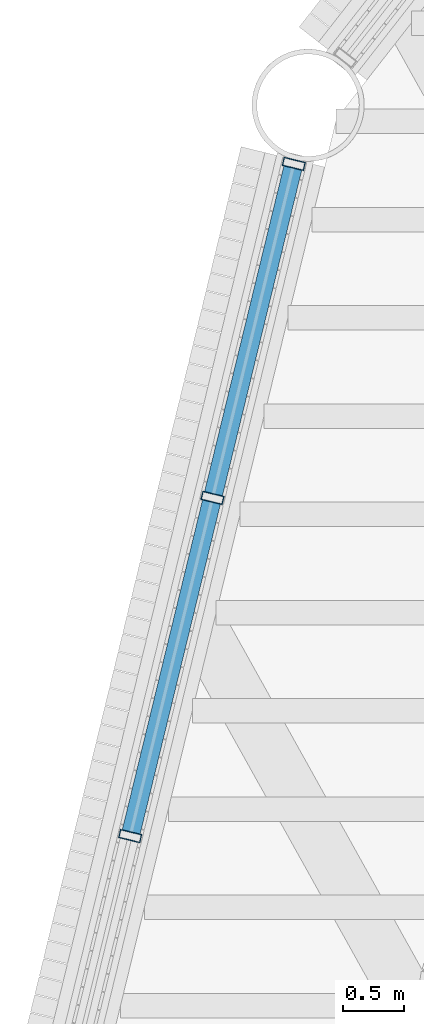
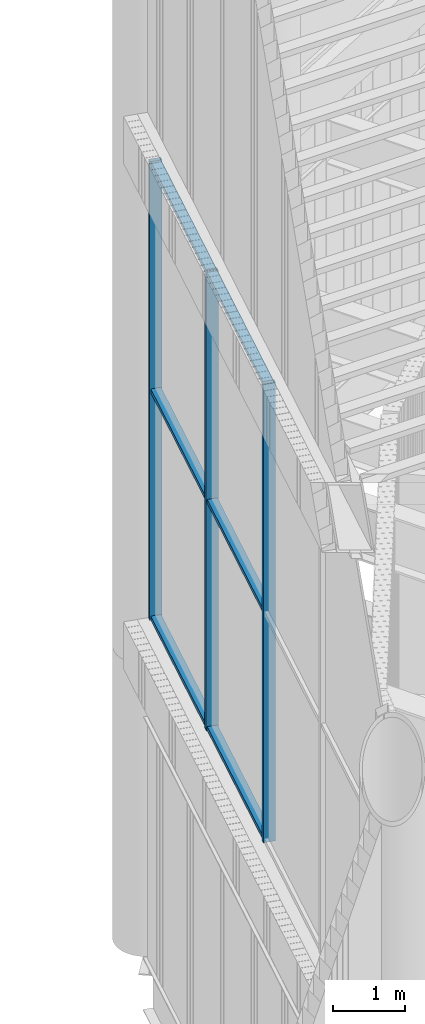
# One storey, part 41 of 117: 9 members, 1 element without a shape of its own.
"""IFC4 building model written with IfcOpenShell, lengths in metres."""

import ifcopenshell
import ifcopenshell.guid

model = None  # the IFC model being written
_history = None  # IfcOwnerHistory: only IFC2X3 demands one
_inside = {}  # id of a spatial element -> (the spatial element, [elements in it])
_under = {}  # id of a project, library or spatial element -> (it, [spatial elements below it])
_declared = {}  # id of a project -> (the project, [libraries it declares])
_typed = {}  # id of a type object -> (the type object, [elements of that type])
_made_of = {}  # id of a material, layer set ... -> (it, [elements and type objects made of it])


def new_model(schema):
    """Start an empty IFC model of exactly this schema.

    Asked for "IFC4X3", IfcOpenShell would pick the latest addendum, in which some entities
    have other attributes; the version numbers below select the first issue.
    IFC2X3 requires an IfcOwnerHistory on every rooted entity: one is made here for all.
    """
    global model, _history
    if schema == "IFC4X3":
        model = ifcopenshell.file(schema_version=(4, 3, 0, 0))
    else:
        model = ifcopenshell.file(schema=schema)
    _inside.clear()
    _under.clear()
    _declared.clear()
    _typed.clear()
    _made_of.clear()
    _history = None
    if model.schema == "IFC2X3":
        org = make("IfcOrganization", Name="unknown")
        user = make(
            "IfcPersonAndOrganization",
            ThePerson=make("IfcPerson", FamilyName="unknown"),
            TheOrganization=org,
        )
        app = make(
            "IfcApplication",
            ApplicationDeveloper=org,
            Version="unknown",
            ApplicationFullName="unknown",
            ApplicationIdentifier="unknown",
        )
        _history = make(
            "IfcOwnerHistory",
            OwningUser=user,
            OwningApplication=app,
            ChangeAction="ADDED",
            CreationDate=0,
        )
    return model


def make(cls, **values):
    """One entity of the class cls with the attributes given. An attribute that is None is left unset."""
    return model.create_entity(
        cls, **{name: value for name, value in values.items() if value is not None}
    )


def rooted(cls, **values):
    """An entity with a GlobalId (a new one), such as an element, a storey or a relation."""
    return make(cls, GlobalId=ifcopenshell.guid.new(), OwnerHistory=_history, **values)


def si_unit(unit_type, name, prefix=None):
    """IfcSIUnit, for example si_unit("LENGTHUNIT", "METRE", prefix="MILLI")."""
    return make("IfcSIUnit", UnitType=unit_type, Prefix=prefix, Name=name)


def assignment(units):
    """IfcUnitAssignment: the units of a project."""
    return None if units is None else make("IfcUnitAssignment", Units=units)


def point(xyz):
    """IfcCartesianPoint."""
    return None if xyz is None else make("IfcCartesianPoint", Coordinates=xyz)


def direction(xyz):
    """IfcDirection."""
    return None if xyz is None else make("IfcDirection", DirectionRatios=xyz)


def frame(location, z_axis=None, x_axis=None):
    """IfcAxis2Placement3D, a coordinate frame: its origin and axes. An axis left out is left unset."""
    return make(
        "IfcAxis2Placement3D",
        Location=point(location),
        Axis=direction(z_axis),
        RefDirection=direction(x_axis),
    )


def frame_2d(location, x_axis=None):
    """IfcAxis2Placement2D, a coordinate frame in the plane: its origin and x axis."""
    return make(
        "IfcAxis2Placement2D", Location=point(location), RefDirection=direction(x_axis)
    )


def origin():
    """The frame at (0, 0, 0) with its axes left unset."""
    return frame((0.0, 0.0, 0.0))


def origin_2d():
    """The frame at (0, 0) in the plane with its x axis left unset."""
    return frame_2d((0.0, 0.0))


def place(relative_to, where):
    """IfcLocalPlacement: puts the frame where relative to a parent placement (None: the world)."""
    return make(
        "IfcLocalPlacement", PlacementRelTo=relative_to, RelativePlacement=where
    )


def context(
    kind, dimensions, precision=None, world=None, true_north=None, identifier=None
):
    """IfcGeometricRepresentationContext, for example the 3D "Model" context."""
    return make(
        "IfcGeometricRepresentationContext",
        ContextIdentifier=identifier,
        ContextType=kind,
        CoordinateSpaceDimension=dimensions,
        Precision=precision,
        WorldCoordinateSystem=world,
        TrueNorth=true_north,
    )


def subcontext(parent, identifier, kind, view, scale=None):
    """IfcGeometricRepresentationSubContext, for example "Body" below "Model"."""
    return make(
        "IfcGeometricRepresentationSubContext",
        ContextIdentifier=identifier,
        ContextType=kind,
        ParentContext=parent,
        TargetScale=scale,
        TargetView=view,
    )


def project(units=None, contexts=None):
    """IfcProject with its units and contexts."""
    return rooted(
        "IfcProject",
        Name="project",
        RepresentationContexts=contexts,
        UnitsInContext=assignment(units),
    )


def spatial(cls, under=None, at=None, **own):
    """A site, building, storey or space (cls), placed at a placement, below another one or the project."""
    s = rooted(cls, ObjectPlacement=at, **own)
    if under is not None:
        _under.setdefault(under.id(), (under, []))[1].append(s)
    return s


def profile(cls, at=None, kind="AREA", **sizes):
    """A parametric profile (cls). Its sizes go by their IFC names, for example OverallWidth=200.0."""
    return make(cls, ProfileType=kind, Position=at, **sizes)


def hollow_rectangle(**sizes):
    """IfcRectangleHollowProfileDef."""
    return profile("IfcRectangleHollowProfileDef", **sizes)


def extrude(swept, where, along, depth):
    """IfcExtrudedAreaSolid: the profile swept, set in the frame where, extruded along a direction by depth."""
    return make(
        "IfcExtrudedAreaSolid",
        SweptArea=swept,
        Position=where,
        ExtrudedDirection=direction(along),
        Depth=depth,
    )


def shape(context_of_items, identifier, shape_type, items):
    """IfcShapeRepresentation: the items that make up one representation, for example the "Body"."""
    return make(
        "IfcShapeRepresentation",
        ContextOfItems=context_of_items,
        RepresentationIdentifier=identifier,
        RepresentationType=shape_type,
        Items=items,
    )


def material(Name=None, Category=None):
    """IfcMaterial."""
    return make("IfcMaterial", Name=Name, Category=Category)


def layer(
    of_material, thickness, ventilated=None, Name=None, Category=None, Priority=None
):
    """IfcMaterialLayer: one layer of a wall or slab, of a material (None: an air gap)."""
    return make(
        "IfcMaterialLayer",
        Material=of_material,
        LayerThickness=thickness,
        IsVentilated=ventilated,
        Name=Name,
        Category=Category,
        Priority=Priority,
    )


def layer_set(layers, Name=None):
    """IfcMaterialLayerSet."""
    return make("IfcMaterialLayerSet", MaterialLayers=layers, LayerSetName=Name)


def material_profile(
    of_material, cross_section, Name=None, Category=None, Priority=None
):
    """IfcMaterialProfile: a cross section and its material."""
    return make(
        "IfcMaterialProfile",
        Name=Name,
        Material=of_material,
        Profile=cross_section,
        Priority=Priority,
        Category=Category,
    )


def profile_set(profiles, Name=None, composite=None):
    """IfcMaterialProfileSet."""
    return make(
        "IfcMaterialProfileSet",
        Name=Name,
        MaterialProfiles=profiles,
        CompositeProfile=composite,
    )


def made_of(thing, what):
    """Note that an element or type object is made of a material, layer set ...; save() writes the relation."""
    if what is not None:
        _made_of.setdefault(what.id(), (what, []))[1].append(thing)
    return thing


def type_object(cls, material=None, **own):
    """A type object (cls), such as IfcWallType, which elements share."""
    return made_of(rooted(cls, **own), material)


def element(
    cls,
    number,
    at=None,
    inside=None,
    cuts=None,
    type_object=None,
    material=None,
    context=None,
    identifier="Body",
    shape_type=None,
    held_by="IfcProductDefinitionShape",
    body=None,
    shapes=None,
    **own,
):
    """One element of the class cls, such as IfcWall. Its Tag is "e" and its number.

    at: its placement. inside: the storey or other place that contains it. cuts: it is an
    opening in that element (IfcRelVoidsElement). A single representation is given by context,
    identifier, shape_type and body (its items); several are given by shapes. held_by: the class
    of the entity that holds the representations. save() writes the other relations.
    """
    e = rooted(cls, Tag="e%d" % number, ObjectPlacement=at, **own)
    if body is not None:
        shapes = [shape(context, identifier, shape_type, body)]
    if shapes is not None:
        e.Representation = make(held_by, Representations=shapes)
    if inside is not None:
        _inside.setdefault(inside.id(), (inside, []))[1].append(e)
    if cuts is not None:
        rooted(
            "IfcRelVoidsElement", RelatingBuildingElement=cuts, RelatedOpeningElement=e
        )
    if type_object is not None:
        _typed.setdefault(type_object.id(), (type_object, []))[1].append(e)
    return made_of(e, material)


def aggregate(whole, parts):
    """IfcRelAggregates: a whole, such as a stair, and the parts it consists of."""
    return rooted("IfcRelAggregates", RelatingObject=whole, RelatedObjects=parts)


def save(model, path):
    """Write the relations noted so far, then the file.

    IfcRelAggregates (storeys below a building ...), IfcRelContainedInSpatialStructure (elements
    in a storey), IfcRelDefinesByType, IfcRelAssociatesMaterial and IfcRelDeclares: one each for
    every whole, place, type object, material and project.
    """
    for whole, parts in _under.values():
        aggregate(whole, parts)
    for where, things in _inside.values():
        rooted(
            "IfcRelContainedInSpatialStructure",
            RelatedElements=things,
            RelatingStructure=where,
        )
    for kind, things in _typed.values():
        rooted("IfcRelDefinesByType", RelatedObjects=things, RelatingType=kind)
    for what, things in _made_of.values():
        rooted("IfcRelAssociatesMaterial", RelatedObjects=things, RelatingMaterial=what)
    for by, libraries in _declared.values():
        rooted("IfcRelDeclares", RelatingContext=by, RelatedDefinitions=libraries)
    model.write(path)


model = new_model("IFC4")

# Units and contexts
model_context = context("Model", 3, precision=1e-05, world=origin(), true_north=direction((0.0, 1.0)))
body_context = subcontext(model_context, "Body", "Model", "MODEL_VIEW")
ifc_project = project(units=[si_unit("LENGTHUNIT", "METRE"), si_unit("AREAUNIT", "SQUARE_METRE"), si_unit("VOLUMEUNIT", "CUBIC_METRE"), si_unit("PLANEANGLEUNIT", "RADIAN"), si_unit("MASSUNIT", "GRAM", prefix="KILO")], contexts=[model_context])

# Site, building, storey
site_placement = place(None, origin())
site = spatial("IfcSite", under=ifc_project, at=site_placement, CompositionType="ELEMENT")
building_placement = place(site_placement, origin())
building = spatial("IfcBuilding", under=site, at=building_placement, Name="Tarsis Ring Headquarters", CompositionType="ELEMENT")
storey_placement = place(building_placement, frame((0.0, 0.0, 403.60009765625)))
storey = spatial("IfcBuildingStorey", under=building, at=storey_placement, Name="L95", CompositionType="ELEMENT", Elevation=403.60009765625)

# Curtain wall, members
ifc_material_1 = material(Name="Aluminium curtain wall", Category="aluminium")
ifc_layer = layer(ifc_material_1, 0.179931640625)
ifc_layer_set = layer_set([ifc_layer], Name="Curtain wall crown glazing")
curtain_wall_type = type_object("IfcCurtainWallType", Name="Curtain wall crown glazing", PredefinedType="NOTDEFINED", material=ifc_layer_set)
curtain_wall_placement = place(storey_placement, origin())
curtain_wall = element("IfcCurtainWall", 1, at=curtain_wall_placement, inside=storey, type_object=curtain_wall_type, Name="Crown glazing L13", PredefinedType="NOTDEFINED")
ifc_material_2 = material(Name="Aluminium mullion", Category="aluminium")
ifc_material_profile_1 = material_profile(ifc_material_2, hollow_rectangle(XDim=0.179931640625, YDim=0.070068359375, WallThickness=0.0048828125, at=origin_2d()), Name="RHS 180x70x5")
ifc_profile_set_1 = profile_set([ifc_material_profile_1], Name="Aluminium mullion")
member_type_1 = type_object("IfcMemberType", Name="Crown glazing mullion RHS 180x70x5", PredefinedType="MULLION", material=ifc_profile_set_1)
member_1_placement = place(storey_placement, frame((-26.257568359375, 12.188720703125, 5.7998046875), z_axis=(0.0, 0.0, 1.0), x_axis=(0.971626473978, -0.236520601779, 0.0)))
member_1 = element("IfcMember", 2, at=member_1_placement, type_object=member_type_1, Name="CW-C mullion 1", PredefinedType="MULLION", context=body_context, shape_type="SweptSolid", body=[
    extrude(hollow_rectangle(XDim=0.179931640625, YDim=0.070068359375, WallThickness=0.0048828125, at=origin_2d()), origin(), (0.0, 0.0, 1.0), 7.800048828125),
])
member_2_placement = place(storey_placement, frame((-26.919677734375, 9.469482421875, 5.7998046875), z_axis=(0.0, 0.0, 1.0), x_axis=(0.971626473978, -0.236520601779, 0.0)))
member_2 = element("IfcMember", 3, at=member_2_placement, type_object=member_type_1, Name="CW-C mullion 2", PredefinedType="MULLION", context=body_context, shape_type="SweptSolid", body=[
    extrude(hollow_rectangle(XDim=0.179931640625, YDim=0.070068359375, WallThickness=0.0048828125, at=origin_2d()), origin(), (0.0, 0.0, 1.0), 7.800048828125),
])
member_3_placement = place(storey_placement, frame((-27.58984375, 6.716064453125, 5.7998046875), z_axis=(0.0, 0.0, 1.0), x_axis=(0.971626473978, -0.236520601779, 0.0)))
member_3 = element("IfcMember", 4, at=member_3_placement, type_object=member_type_1, Name="CW-C mullion 3", PredefinedType="MULLION", context=body_context, shape_type="SweptSolid", body=[
    extrude(hollow_rectangle(XDim=0.179931640625, YDim=0.070068359375, WallThickness=0.0048828125, at=origin_2d()), origin(), (0.0, 0.0, 1.0), 7.800048828125),
])
ifc_material_3 = material(Name="Aluminium transom", Category="aluminium")
ifc_material_profile_2 = material_profile(ifc_material_3, hollow_rectangle(XDim=0.14990234375, YDim=0.070068359375, WallThickness=0.0048828125, at=origin_2d()), Name="RHS 150x70x5")
ifc_profile_set_2 = profile_set([ifc_material_profile_2], Name="Aluminium transom")
member_type_2 = type_object("IfcMemberType", Name="Crown glazing transom RHS 150x70x5", PredefinedType="USERDEFINED", material=ifc_profile_set_2)
member_4_placement = place(storey_placement, frame((-26.265869140625, 12.15478515625, 5.8349609375), z_axis=(-0.236552475254, -0.971618714544, 0.0), x_axis=(0.971618714544, -0.236552475254, 0.0)))
member_4 = element("IfcMember", 5, at=member_4_placement, type_object=member_type_2, Name="CW-C transom 1.1", ObjectType="TRANSOM", PredefinedType="USERDEFINED", context=body_context, shape_type="SweptSolid", body=[
    extrude(hollow_rectangle(XDim=0.14990234375, YDim=0.070068359375, WallThickness=0.0048828125, at=origin_2d()), origin(), (0.0, 0.0, 1.0), 2.728759765625),
])
member_5_placement = place(storey_placement, frame((-26.265869140625, 12.15478515625, 9.699951171875), z_axis=(-0.236552475254, -0.971618714544, 0.0), x_axis=(0.971618714544, -0.236552475254, 0.0)))
member_5 = element("IfcMember", 6, at=member_5_placement, type_object=member_type_2, Name="CW-C transom 1.2", ObjectType="TRANSOM", PredefinedType="USERDEFINED", context=body_context, shape_type="SweptSolid", body=[
    extrude(hollow_rectangle(XDim=0.14990234375, YDim=0.070068359375, WallThickness=0.0048828125, at=origin_2d()), origin(), (0.0, 0.0, 1.0), 2.728759765625),
])
member_6_placement = place(storey_placement, frame((-26.265869140625, 12.15478515625, 13.56494140625), z_axis=(-0.236552475254, -0.971618714544, 0.0), x_axis=(0.971618714544, -0.236552475254, 0.0)))
member_6 = element("IfcMember", 7, at=member_6_placement, type_object=member_type_2, Name="CW-C transom 1.3", ObjectType="TRANSOM", PredefinedType="USERDEFINED", context=body_context, shape_type="SweptSolid", body=[
    extrude(hollow_rectangle(XDim=0.14990234375, YDim=0.070068359375, WallThickness=0.0048828125, at=origin_2d()), origin(), (0.0, 0.0, 1.0), 2.728759765625),
])
member_7_placement = place(storey_placement, frame((-26.927978515625, 9.435546875, 5.8349609375), z_axis=(-0.236482318073, -0.971635792485, 0.0), x_axis=(0.971635792485, -0.236482318073, 0.0)))
member_7 = element("IfcMember", 8, at=member_7_placement, type_object=member_type_2, Name="CW-C transom 2.1", ObjectType="TRANSOM", PredefinedType="USERDEFINED", context=body_context, shape_type="SweptSolid", body=[
    extrude(hollow_rectangle(XDim=0.14990234375, YDim=0.070068359375, WallThickness=0.0048828125, at=origin_2d()), origin(), (0.0, 0.0, 1.0), 2.763671875),
])
member_8_placement = place(storey_placement, frame((-26.927978515625, 9.435546875, 9.699951171875), z_axis=(-0.236482318073, -0.971635792485, 0.0), x_axis=(0.971635792485, -0.236482318073, 0.0)))
member_8 = element("IfcMember", 9, at=member_8_placement, type_object=member_type_2, Name="CW-C transom 2.2", ObjectType="TRANSOM", PredefinedType="USERDEFINED", context=body_context, shape_type="SweptSolid", body=[
    extrude(hollow_rectangle(XDim=0.14990234375, YDim=0.070068359375, WallThickness=0.0048828125, at=origin_2d()), origin(), (0.0, 0.0, 1.0), 2.763671875),
])
member_9_placement = place(storey_placement, frame((-26.927978515625, 9.435546875, 13.56494140625), z_axis=(-0.236482318073, -0.971635792485, 0.0), x_axis=(0.971635792485, -0.236482318073, 0.0)))
member_9 = element("IfcMember", 10, at=member_9_placement, type_object=member_type_2, Name="CW-C transom 2.3", ObjectType="TRANSOM", PredefinedType="USERDEFINED", context=body_context, shape_type="SweptSolid", body=[
    extrude(hollow_rectangle(XDim=0.14990234375, YDim=0.070068359375, WallThickness=0.0048828125, at=origin_2d()), origin(), (0.0, 0.0, 1.0), 2.763671875),
])
aggregate(curtain_wall, [member_1, member_2, member_3, member_4, member_5, member_6, member_7, member_8, member_9])

save(model, "model.ifc")
